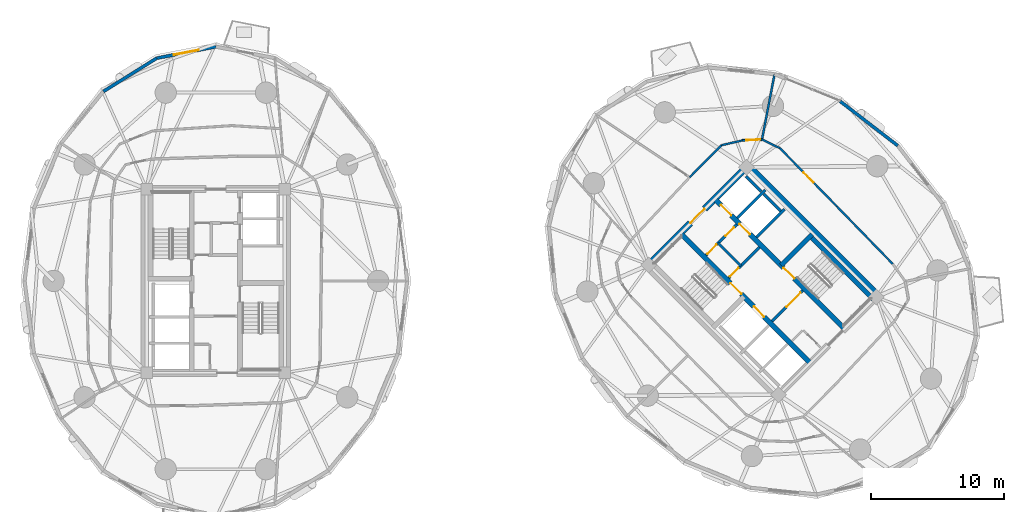
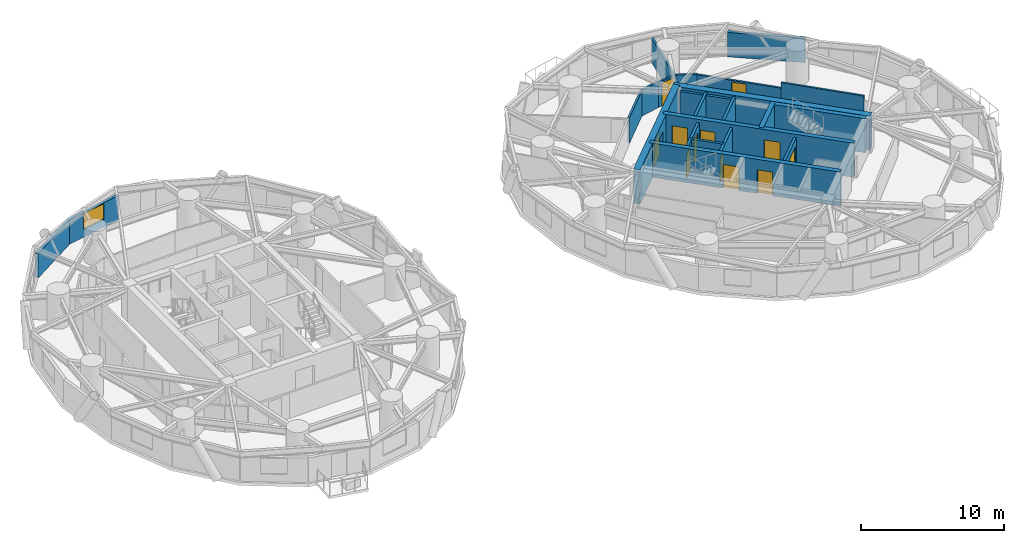
# One storey, part 11 of 15: 24 walls, 12 doors, 1 window, 13 openings.
"""IFC4 building model written with IfcOpenShell, lengths in metres."""

from ifc_helpers import new_model, si_unit, direction, frame, frame_2d, origin, place, context, subcontext, project, spatial, rectangle, extrude, source, transform, mapped, material, layer, layer_set, type_object, element, fill, save


model = new_model("IFC4")

# Units and contexts
model_context = context("Model", 3, precision=1e-05, world=origin(), true_north=direction((0.0, 1.0)))
body_context = subcontext(model_context, "Body", "Model", "MODEL_VIEW")
ifc_project = project(units=[si_unit("LENGTHUNIT", "METRE"), si_unit("AREAUNIT", "SQUARE_METRE"), si_unit("VOLUMEUNIT", "CUBIC_METRE"), si_unit("PLANEANGLEUNIT", "RADIAN"), si_unit("MASSUNIT", "GRAM", prefix="KILO")], contexts=[model_context])

# Site, building, storey
site_placement = place(None, origin())
site = spatial("IfcSite", under=ifc_project, at=site_placement, CompositionType="ELEMENT")
building_placement = place(site_placement, origin())
building = spatial("IfcBuilding", under=site, at=building_placement, Name="Cununo Teusaquillo Station Towers", CompositionType="ELEMENT")
storey_placement = place(building_placement, frame((0.0, 0.0, 24.909912109375)))
storey = spatial("IfcBuildingStorey", under=building, at=storey_placement, Name="L06", CompositionType="ELEMENT", Elevation=24.909912109375)

# Walls
ifc_material_1 = material(Name="Concrete C50/60", Category="concrete")
ifc_layer_1 = layer(ifc_material_1, 0.199951171875)
ifc_layer_set_1 = layer_set([ifc_layer_1], Name="Concrete C50/60")
wall_type_1 = type_object("IfcWallType", Name="WL-CORE-200", PredefinedType="SHEAR", material=ifc_layer_set_1)
wall_1_placement = place(storey_placement, frame((57.0615234375, 27.781005859375, 0.0), z_axis=(0.0, 0.0, 1.0), x_axis=(0.707106781187, 0.707106781187, 0.0)))
element("IfcWall", 1, at=wall_1_placement, inside=storey, type_object=wall_type_1, Name="L06 Tower B Low-Rise Lift Hoistway South Shear Wall", PredefinedType="SHEAR", context=body_context, shape_type="SweptSolid", body=[
    extrude(rectangle(XDim=2.969970703125, YDim=0.199951171875, at=frame_2d((1.48486328125, 0.0))), origin(), (0.0, 0.0, 1.0), 2.91015625),
])
wall_2_placement = place(storey_placement, frame((55.615478515625, 29.22705078125, 0.0), z_axis=(0.0, 0.0, 1.0), x_axis=(0.707147878904, 0.70706568108, 0.0)))
element("IfcWall", 2, at=wall_2_placement, inside=storey, type_object=wall_type_1, Name="L06 Tower B Low-Rise Lift Hoistway Divider Shear Wall", PredefinedType="SHEAR", context=body_context, shape_type="SweptSolid", body=[
    extrude(rectangle(XDim=2.97021484375, YDim=0.199951171875, at=frame_2d((1.485107421875, 0.0))), origin(), (0.0, 0.0, 1.0), 2.91015625),
])
wall_3_placement = place(storey_placement, frame((58.86474609375, 29.75390625, 0.0), z_axis=(0.0, 0.0, 1.0), x_axis=(-0.707174411312, 0.707039144592, 0.0)))
element("IfcWall", 3, at=wall_3_placement, inside=storey, type_object=wall_type_1, Name="L06 Tower B Low-Rise Lift 1 Shaft Rear Shear Wall", PredefinedType="SHEAR", context=body_context, shape_type="SweptSolid", body=[
    extrude(rectangle(XDim=1.804931640625, YDim=0.199951171875, at=frame_2d((0.90234375, 0.0))), origin(), (0.0, 0.0, 1.0), 2.91015625),
])
wall_4_placement = place(storey_placement, frame((57.418701171875, 31.19970703125, 0.0), z_axis=(0.0, 0.0, 1.0), x_axis=(-0.707032117043, 0.707181437447, 0.0)))
element("IfcWall", 4, at=wall_4_placement, inside=storey, type_object=wall_type_1, Name="L06 Tower B Low-Rise Lift 2 Shaft Rear Shear Wall", PredefinedType="SHEAR", context=body_context, shape_type="SweptSolid", body=[
    extrude(rectangle(XDim=1.635009765625, YDim=0.199951171875, at=frame_2d((0.8173828125, 0.0))), origin(), (0.0, 0.0, 1.0), 2.91015625),
])

# Wall, openings, doors
ifc_material_2 = material(Name="Concrete C50/60", Category="concrete")
ifc_layer_2 = layer(ifc_material_2, 0.35009765625)
ifc_layer_set_2 = layer_set([ifc_layer_2], Name="Concrete C50/60")
wall_type_2 = type_object("IfcWallType", Name="WL-CORE-350", PredefinedType="SHEAR", material=ifc_layer_set_2)
wall_5_placement = place(storey_placement, frame((61.095703125, 18.337646484375, 0.0), z_axis=(0.0, 0.0, 1.0), x_axis=(-0.707106781187, 0.707106781187, 0.0)))
wall_5 = element("IfcWall", 5, at=wall_5_placement, inside=storey, type_object=wall_type_2, Name="L06 Tower B Core Shear Wall IW", PredefinedType="SHEAR", context=body_context, shape_type="SweptSolid", body=[
    extrude(rectangle(XDim=13.800048828125, YDim=0.35009765625, at=frame_2d((6.89990234375, 0.0))), origin(), (0.0, 0.0, 1.0), 2.91015625),
])
shared_shape_1 = source(origin(), body_context, "Body", "SweptSolid", [
    extrude(rectangle(XDim=1.10009765625, YDim=2.014892578125, at=frame_2d((0.550048828125, 1.00732421875))), frame((0.0, 0.18505859375, 0.0), z_axis=(0.0, -1.0, 0.0), x_axis=(1.0, 0.0, 0.0)), (0.0, 0.0, 1.0), 0.3701171875),
])
opening_1_placement = place(wall_5_placement, frame((4.89990234375, 0.0, 0.0)))
opening_1 = element("IfcOpeningElement", 6, at=opening_1_placement, cuts=wall_5, Name="Opening LD-01", PredefinedType="OPENING", context=body_context, shape_type="MappedRepresentation", body=[
    mapped(shared_shape_1, transform((0.0, 0.0, 0.0), x_axis=(1.0, 0.0, 0.0), y_axis=(0.0, 1.0, 0.0), z_axis=(0.0, 0.0, 1.0), scale=1.0)),
])
shared_shape_2 = source(origin(), body_context, "Body", "SweptSolid", [
    extrude(rectangle(XDim=1.14990234375, YDim=2.02001953125, at=frame_2d((0.574951171875, 1.010009765625))), frame((0.0, 0.18505859375, 0.0), z_axis=(0.0, -1.0, 0.0), x_axis=(1.0, 0.0, 0.0)), (0.0, 0.0, 1.0), 0.3701171875),
])
opening_2_placement = place(wall_5_placement, frame((7.320068359375, 0.0, 0.0)))
opening_2 = element("IfcOpeningElement", 7, at=opening_2_placement, cuts=wall_5, Name="Opening D-ST1", PredefinedType="OPENING", context=body_context, shape_type="MappedRepresentation", body=[
    mapped(shared_shape_2, transform((0.0, 0.0, 0.0), x_axis=(1.0, 0.0, 0.0), y_axis=(0.0, 1.0, 0.0), z_axis=(0.0, 0.0, 1.0), scale=1.0)),
])
ifc_material_3 = material(Name="Galvanised fire-rated hollow steel door assembly", Category="steel")
door_type_1 = type_object("IfcDoorType", Name="DR-LIFT-1100", OperationType="SLIDING_TO_LEFT", PredefinedType="DOOR", material=ifc_material_3)
shared_shape_3 = source(origin(), body_context, "Body", "SweptSolid", [
    extrude(rectangle(XDim=1.10009765625, YDim=2.014892578125, at=frame_2d((0.550048828125, 1.00732421875))), frame((0.0, 0.02490234375, 0.0), z_axis=(0.0, -1.0, 0.0), x_axis=(1.0, 0.0, 0.0)), (0.0, 0.0, 1.0), 0.050048828125),
])
door_1_placement = place(opening_1_placement, origin())
door_1 = element("IfcDoor", 8, at=door_1_placement, inside=storey, type_object=door_type_1, Name="L06 Lift FL-T2 Sliding Landing Door", OperationType="SLIDING_TO_RIGHT", OverallHeight=2.014892578125, OverallWidth=1.10009765625, PredefinedType="DOOR", context=body_context, shape_type="MappedRepresentation", body=[
    mapped(shared_shape_3, transform((0.0, 0.0, 0.0), x_axis=(1.0, 0.0, 0.0), y_axis=(0.0, 1.0, 0.0), z_axis=(0.0, 0.0, 1.0), scale=1.0)),
])
fill(opening_1, door_1)
ifc_material_4 = material(Name="Galvanised fire-rated hollow steel door assembly", Category="steel")
door_type_2 = type_object("IfcDoorType", Name="DR-STAIR-1150", OperationType="NOTDEFINED", PredefinedType="DOOR", material=ifc_material_4)
shared_shape_4 = source(origin(), body_context, "Body", "SweptSolid", [
    extrude(rectangle(XDim=1.14990234375, YDim=2.02001953125, at=frame_2d((0.574951171875, 1.010009765625))), frame((0.0, 0.02490234375, 0.0), z_axis=(0.0, -1.0, 0.0), x_axis=(1.0, 0.0, 0.0)), (0.0, 0.0, 1.0), 0.050048828125),
])
door_2_placement = place(opening_2_placement, origin())
door_2 = element("IfcDoor", 9, at=door_2_placement, inside=storey, type_object=door_type_2, Name="L06 Tower B Exit Stair 1 Fire Door", OperationType="SINGLE_SWING_RIGHT", OverallHeight=2.02001953125, OverallWidth=1.14990234375, PredefinedType="DOOR", context=body_context, shape_type="MappedRepresentation", body=[
    mapped(shared_shape_4, transform((0.0, 0.0, 0.0), x_axis=(1.0, 0.0, 0.0), y_axis=(0.0, 1.0, 0.0), z_axis=(0.0, 0.0, 1.0), scale=1.0)),
])
fill(opening_2, door_2)

wall_6_placement = place(storey_placement, frame((63.662353515625, 20.904296875, 0.0), z_axis=(0.0, 0.0, 1.0), x_axis=(-0.707106781187, 0.707106781187, 0.0)))
wall_6 = element("IfcWall", 10, at=wall_6_placement, inside=storey, type_object=wall_type_2, Name="L06 Tower B Core Shear Wall IE", PredefinedType="SHEAR", context=body_context, shape_type="SweptSolid", body=[
    extrude(rectangle(XDim=13.800048828125, YDim=0.35009765625, at=frame_2d((6.89990234375, 0.0))), origin(), (0.0, 0.0, 1.0), 2.91015625),
])
opening_3_placement = place(wall_6_placement, frame((10.02490234375, 0.0, 0.0)))
opening_3 = element("IfcOpeningElement", 11, at=opening_3_placement, cuts=wall_6, Name="Opening LD-01", PredefinedType="OPENING", context=body_context, shape_type="MappedRepresentation", body=[
    mapped(shared_shape_1, transform((0.0, 0.0, 0.0), x_axis=(1.0, 0.0, 0.0), y_axis=(0.0, 1.0, 0.0), z_axis=(0.0, 0.0, 1.0), scale=1.0)),
])
opening_4_placement = place(wall_6_placement, frame((12.02490234375, 0.0, 0.0)))
opening_4 = element("IfcOpeningElement", 12, at=opening_4_placement, cuts=wall_6, Name="Opening LD-01", PredefinedType="OPENING", context=body_context, shape_type="MappedRepresentation", body=[
    mapped(shared_shape_1, transform((0.0, 0.0, 0.0), x_axis=(1.0, 0.0, 0.0), y_axis=(0.0, 1.0, 0.0), z_axis=(0.0, 0.0, 1.0), scale=1.0)),
])
opening_5_placement = place(wall_6_placement, frame((5.330078125, 0.0, 0.0)))
opening_5 = element("IfcOpeningElement", 13, at=opening_5_placement, cuts=wall_6, Name="Opening D-ST1", PredefinedType="OPENING", context=body_context, shape_type="MappedRepresentation", body=[
    mapped(shared_shape_2, transform((0.0, 0.0, 0.0), x_axis=(1.0, 0.0, 0.0), y_axis=(0.0, 1.0, 0.0), z_axis=(0.0, 0.0, 1.0), scale=1.0)),
])
door_3_placement = place(opening_3_placement, origin())
door_3 = element("IfcDoor", 14, at=door_3_placement, inside=storey, type_object=door_type_1, Name="L06 Lift PL-T2-L1 Sliding Landing Door", OperationType="SLIDING_TO_LEFT", OverallHeight=2.014892578125, OverallWidth=1.10009765625, PredefinedType="DOOR", context=body_context, shape_type="MappedRepresentation", body=[
    mapped(shared_shape_3, transform((0.0, 0.0, 0.0), x_axis=(1.0, 0.0, 0.0), y_axis=(0.0, 1.0, 0.0), z_axis=(0.0, 0.0, 1.0), scale=1.0)),
])
fill(opening_3, door_3)
door_4_placement = place(opening_4_placement, origin())
door_4 = element("IfcDoor", 15, at=door_4_placement, inside=storey, type_object=door_type_1, Name="L06 Lift PL-T2-L2 Sliding Landing Door", OperationType="SLIDING_TO_RIGHT", OverallHeight=2.014892578125, OverallWidth=1.10009765625, PredefinedType="DOOR", context=body_context, shape_type="MappedRepresentation", body=[
    mapped(shared_shape_3, transform((0.0, 0.0, 0.0), x_axis=(1.0, 0.0, 0.0), y_axis=(0.0, 1.0, 0.0), z_axis=(0.0, 0.0, 1.0), scale=1.0)),
])
fill(opening_4, door_4)
door_5_placement = place(opening_5_placement, origin())
door_5 = element("IfcDoor", 16, at=door_5_placement, inside=storey, type_object=door_type_2, Name="L06 Tower B Exit Stair 2 Fire Door", OperationType="SINGLE_SWING_LEFT", OverallHeight=2.02001953125, OverallWidth=1.14990234375, PredefinedType="DOOR", context=body_context, shape_type="MappedRepresentation", body=[
    mapped(shared_shape_4, transform((0.0, 0.0, 0.0), x_axis=(1.0, 0.0, 0.0), y_axis=(0.0, 1.0, 0.0), z_axis=(0.0, 0.0, 1.0), scale=1.0)),
])
fill(opening_5, door_5)

# Walls
wall_7_placement = place(storey_placement, frame((65.847412109375, 23.08935546875, 0.0), z_axis=(0.0, 0.0, 1.0), x_axis=(-0.707106781187, 0.707106781187, 0.0)))
element("IfcWall", 17, at=wall_7_placement, inside=storey, type_object=wall_type_2, Name="L06 Tower B Core Shear Wall ST2E", PredefinedType="SHEAR", context=body_context, shape_type="SweptSolid", body=[
    extrude(rectangle(XDim=6.7451171875, YDim=0.35009765625, at=frame_2d((3.37255859375, 0.0))), origin(), (0.0, 0.0, 1.0), 2.91015625),
])
wall_8_placement = place(storey_placement, frame((58.89306640625, 25.673828125, 0.0), z_axis=(0.0, 0.0, 1.0), x_axis=(0.707106781187, 0.707106781187, 0.0)))
element("IfcWall", 18, at=wall_8_placement, inside=storey, type_object=wall_type_2, Name="L06 Tower B Core Shear Wall ST2N", PredefinedType="SHEAR", context=body_context, shape_type="SweptSolid", body=[
    extrude(rectangle(XDim=3.284912109375, YDim=0.35009765625, at=frame_2d((1.642578125, 0.0))), origin(), (0.0, 0.0, 1.0), 2.91015625),
])
ifc_material_5 = material(Name="Concrete C60/75", Category="concrete")
ifc_layer_3 = layer(ifc_material_5, 0.5)
ifc_layer_set_3 = layer_set([ifc_layer_3], Name="Concrete C60/75")
wall_type_3 = type_object("IfcWallType", Name="WL-CORE-500", PredefinedType="SHEAR", material=ifc_layer_set_3)
wall_9_placement = place(storey_placement, frame((66.3388671875, 23.227294921875, 0.0), z_axis=(0.0, 0.0, 1.0), x_axis=(-0.707106781187, 0.707106781187, 0.0)))
element("IfcWall", 19, at=wall_9_placement, inside=storey, type_object=wall_type_3, Name="L06 Tower B Core Shear Wall E", PredefinedType="SHEAR", context=body_context, shape_type="SweptSolid", body=[
    extrude(rectangle(XDim=14.2998046875, YDim=0.5, at=frame_2d((7.14990234375, 0.0))), origin(), (0.0, 0.0, 1.0), 2.91015625),
])

# Wall, opening, door
wall_10_placement = place(storey_placement, frame((48.837890625, 25.595947265625, 0.0), z_axis=(0.0, 0.0, 1.0), x_axis=(0.707106781187, 0.707106781187, 0.0)))
wall_10 = element("IfcWall", 20, at=wall_10_placement, inside=storey, type_object=wall_type_3, Name="L06 Tower B Core Shear Wall N", PredefinedType="SHEAR", context=body_context, shape_type="SweptSolid", body=[
    extrude(rectangle(XDim=10.7001953125, YDim=0.5, at=frame_2d((5.35009765625, 0.0))), origin(), (0.0, 0.0, 1.0), 2.91015625),
])
shared_shape_5 = source(origin(), body_context, "Body", "SweptSolid", [
    extrude(rectangle(XDim=1.5, YDim=2.02001953125, at=frame_2d((0.75, 1.010009765625))), frame((0.0, 0.260009765625, 0.0), z_axis=(0.0, -1.0, 0.0), x_axis=(1.0, 0.0, 0.0)), (0.0, 0.0, 1.0), 0.52001953125),
])
opening_6_placement = place(wall_10_placement, frame((4.60009765625, 0.0, 0.0)))
opening_6 = element("IfcOpeningElement", 21, at=opening_6_placement, cuts=wall_10, Name="Opening D-LB1", PredefinedType="OPENING", context=body_context, shape_type="MappedRepresentation", body=[
    mapped(shared_shape_5, transform((0.0, 0.0, 0.0), x_axis=(1.0, 0.0, 0.0), y_axis=(0.0, 1.0, 0.0), z_axis=(0.0, 0.0, 1.0), scale=1.0)),
])
ifc_material_6 = material(Name="Galvanised fire-rated hollow steel door assembly", Category="steel")
door_type_3 = type_object("IfcDoorType", Name="DR-LOBBY-1500", OperationType="DOUBLE_DOOR_SINGLE_SWING", PredefinedType="DOOR", material=ifc_material_6)
shared_shape_6 = source(origin(), body_context, "Body", "SweptSolid", [
    extrude(rectangle(XDim=1.5, YDim=2.02001953125, at=frame_2d((0.75, 1.010009765625))), frame((0.0, 0.02490234375, 0.0), z_axis=(0.0, -1.0, 0.0), x_axis=(1.0, 0.0, 0.0)), (0.0, 0.0, 1.0), 0.050048828125),
])
door_6_placement = place(opening_6_placement, origin())
door_6 = element("IfcDoor", 22, at=door_6_placement, inside=storey, type_object=door_type_3, Name="L06 Tower B North Core Lift Lobby Door", OperationType="DOUBLE_DOOR_SINGLE_SWING", OverallHeight=2.02001953125, OverallWidth=1.5, PredefinedType="DOOR", context=body_context, shape_type="MappedRepresentation", body=[
    mapped(shared_shape_6, transform((0.0, 0.0, 0.0), x_axis=(1.0, 0.0, 0.0), y_axis=(0.0, 1.0, 0.0), z_axis=(0.0, 0.0, 1.0), scale=1.0)),
])
fill(opening_6, door_6)

# Wall, opening, window
ifc_material_7 = material(Name="Precast concrete C40/50", Category="concrete")
ifc_layer_4 = layer(ifc_material_7, 0.239990234375)
ifc_layer_set_4 = layer_set([ifc_layer_4], Name="Precast concrete C40/50")
wall_type_4 = type_object("IfcWallType", Name="WL-EXT-240", PredefinedType="SOLIDWALL", material=ifc_layer_set_4)
wall_11_placement = place(storey_placement, frame((12.065185546875, 41.210205078125, 0.0), z_axis=(0.0, 0.0, 1.0), x_axis=(0.981717351035, 0.190344536766, 0.0)))
wall_11 = element("IfcWall", 23, at=wall_11_placement, inside=storey, type_object=wall_type_4, Name="L06 Tower A Exterior Facade Wall C05", PredefinedType="SOLIDWALL", context=body_context, shape_type="SweptSolid", body=[
    extrude(rectangle(XDim=4.517333984375, YDim=0.239990234375, at=frame_2d((2.2587890625, 0.0))), origin(), (0.0, 0.0, 1.0), 2.072998046875),
])
shared_shape_7 = source(origin(), body_context, "Body", "SweptSolid", [
    extrude(rectangle(XDim=1.89990234375, YDim=1.35009765625, at=frame_2d((0.949951171875, 0.675048828125))), frame((0.0, 0.1298828125, 0.0), z_axis=(0.0, -1.0, 0.0), x_axis=(1.0, 0.0, 0.0)), (0.0, 0.0, 1.0), 0.260009765625),
])
opening_7_placement = place(wall_11_placement, frame((1.30908203125, 0.0, 0.64990234375)))
opening_7 = element("IfcOpeningElement", 24, at=opening_7_placement, cuts=wall_11, Name="Opening WN-02", PredefinedType="OPENING", context=body_context, shape_type="MappedRepresentation", body=[
    mapped(shared_shape_7, transform((0.0, 0.0, 0.0), x_axis=(1.0, 0.0, 0.0), y_axis=(0.0, 1.0, 0.0), z_axis=(0.0, 0.0, 1.0), scale=1.0)),
])
ifc_material_8 = material(Name="Operable acoustic tinted low-E double glazing", Category="glass")
window_type = type_object("IfcWindowType", Name="WIN-OPER-1900", PartitioningType="DOUBLE_PANEL_VERTICAL", PredefinedType="WINDOW", material=ifc_material_8)
shared_shape_8 = source(origin(), body_context, "Body", "SweptSolid", [
    extrude(rectangle(XDim=1.89990234375, YDim=1.35009765625, at=frame_2d((0.949951171875, 0.675048828125))), frame((0.0, 0.030029296875, 0.0), z_axis=(0.0, -1.0, 0.0), x_axis=(1.0, 0.0, 0.0)), (0.0, 0.0, 1.0), 0.06005859375),
])
window_placement = place(opening_7_placement, origin())
window = element("IfcWindow", 25, at=window_placement, inside=storey, type_object=window_type, Name="L06 Tower A Facade Window C05", OverallHeight=1.35009765625, OverallWidth=1.89990234375, PartitioningType="DOUBLE_PANEL_VERTICAL", PredefinedType="WINDOW", context=body_context, shape_type="MappedRepresentation", body=[
    mapped(shared_shape_8, transform((0.0, 0.0, 0.0), x_axis=(1.0, 0.0, 0.0), y_axis=(0.0, 1.0, 0.0), z_axis=(0.0, 0.0, 1.0), scale=1.0)),
])
fill(opening_7, window)

# Walls
wall_12_placement = place(storey_placement, frame((8.064697265625, 38.71435546875, 0.0), z_axis=(0.0, 0.0, 1.0), x_axis=(0.848422721916, 0.529319265601, 0.0)))
element("IfcWall", 26, at=wall_12_placement, inside=storey, type_object=wall_type_4, Name="L06 Tower A Exterior Facade Wall C06", PredefinedType="SOLIDWALL", context=body_context, shape_type="SweptSolid", body=[
    extrude(rectangle(XDim=4.715087890625, YDim=0.239990234375, at=frame_2d((2.357421875, 0.0))), origin(), (0.0, 0.0, 1.0), 2.072998046875),
])
wall_13_placement = place(storey_placement, frame((63.31201171875, 37.990234375, 0.0), z_axis=(0.0, 0.0, 1.0), x_axis=(0.791972010801, -0.610557396243, 0.0)))
element("IfcWall", 27, at=wall_13_placement, inside=storey, type_object=wall_type_4, Name="L06 Tower B Exterior Facade Wall C00", PredefinedType="SOLIDWALL", context=body_context, shape_type="SweptSolid", body=[
    extrude(rectangle(XDim=5.474609375, YDim=0.239990234375, at=frame_2d((2.7373046875, 0.0))), origin(), (0.0, 0.0, 1.0), 2.072998046875),
])

# Wall, opening, door
ifc_material_9 = material(Name="Fire-rated gypsum plasterboard partition assembly", Category="gypsum")
ifc_layer_5 = layer(ifc_material_9, 0.14990234375)
ifc_layer_set_5 = layer_set([ifc_layer_5], Name="Fire-rated gypsum plasterboard partition assembly")
wall_type_5 = type_object("IfcWallType", Name="WL-PART-150", PredefinedType="PARTITIONING", material=ifc_layer_set_5)
wall_14_placement = place(storey_placement, frame((63.086181640625, 30.086181640625, 0.0), z_axis=(0.0, 0.0, 1.0), x_axis=(-0.699075897379, 0.715047473741, 0.0)))
wall_14 = element("IfcWall", 28, at=wall_14_placement, inside=storey, type_object=wall_type_5, Name="L06 Tower B Corridor Ring Wall C00", PredefinedType="PARTITIONING", context=body_context, shape_type="SweptSolid", body=[
    extrude(rectangle(XDim=6.1142578125, YDim=0.14990234375, at=frame_2d((3.05712890625, 0.0))), origin(), (0.0, 0.0, 1.0), 2.1591796875),
])
shared_shape_9 = source(origin(), body_context, "Body", "SweptSolid", [
    extrude(rectangle(XDim=1.050048828125, YDim=2.014892578125, at=frame_2d((0.52490234375, 1.00732421875))), frame((0.0, 0.0849609375, 0.0), z_axis=(0.0, -1.0, 0.0), x_axis=(1.0, 0.0, 0.0)), (0.0, 0.0, 1.0), 0.169921875),
])
opening_8_placement = place(wall_14_placement, frame((2.5322265625, 0.0, 0.0)))
opening_8 = element("IfcOpeningElement", 29, at=opening_8_placement, cuts=wall_14, Name="Opening D-SU1", PredefinedType="OPENING", context=body_context, shape_type="MappedRepresentation", body=[
    mapped(shared_shape_9, transform((0.0, 0.0, 0.0), x_axis=(1.0, 0.0, 0.0), y_axis=(0.0, 1.0, 0.0), z_axis=(0.0, 0.0, 1.0), scale=1.0)),
])
ifc_material_10 = material(Name="Acoustic solid-core hardwood leaf assembly", Category="wood")
door_type_4 = type_object("IfcDoorType", Name="DR-SUITE-1050", OperationType="NOTDEFINED", PredefinedType="DOOR", material=ifc_material_10)
shared_shape_10 = source(origin(), body_context, "Body", "SweptSolid", [
    extrude(rectangle(XDim=1.050048828125, YDim=2.014892578125, at=frame_2d((0.52490234375, 1.00732421875))), frame((0.0, 0.02490234375, 0.0), z_axis=(0.0, -1.0, 0.0), x_axis=(1.0, 0.0, 0.0)), (0.0, 0.0, 1.0), 0.050048828125),
])
door_7_placement = place(opening_8_placement, origin())
door_7 = element("IfcDoor", 30, at=door_7_placement, inside=storey, type_object=door_type_4, Name="L06 Tower B Grand Conference Salon Entrance Door", OperationType="SINGLE_SWING_LEFT", OverallHeight=2.014892578125, OverallWidth=1.050048828125, PredefinedType="DOOR", context=body_context, shape_type="MappedRepresentation", body=[
    mapped(shared_shape_10, transform((0.0, 0.0, 0.0), x_axis=(1.0, 0.0, 0.0), y_axis=(0.0, 1.0, 0.0), z_axis=(0.0, 0.0, 1.0), scale=1.0)),
])
fill(opening_8, door_7)

# Wall
wall_15_placement = place(storey_placement, frame((58.811767578125, 34.458251953125, 0.0), z_axis=(0.0, 0.0, 1.0), x_axis=(-0.899559490277, 0.436798264021, 0.0)))
element("IfcWall", 31, at=wall_15_placement, inside=storey, type_object=wall_type_5, Name="L06 Tower B Corridor Ring Wall C01", PredefinedType="PARTITIONING", context=body_context, shape_type="SweptSolid", body=[
    extrude(rectangle(XDim=1.4951171875, YDim=0.14990234375, at=frame_2d((0.74755859375, 0.0))), origin(), (0.0, 0.0, 1.0), 2.205078125),
])

# Wall, opening, door
wall_16_placement = place(storey_placement, frame((57.466796875, 35.111328125, 0.0), z_axis=(0.0, 0.0, 1.0), x_axis=(-0.998691757323, -0.051134859488, 0.0)))
wall_16 = element("IfcWall", 32, at=wall_16_placement, inside=storey, type_object=wall_type_5, Name="L06 Tower B Corridor Ring Wall C02", PredefinedType="PARTITIONING", context=body_context, shape_type="SweptSolid", body=[
    extrude(rectangle(XDim=1.48486328125, YDim=0.14990234375, at=frame_2d((0.742431640625, 0.0))), origin(), (0.0, 0.0, 1.0), 2.1591796875),
])
opening_9_placement = place(wall_16_placement, frame((0.1201171875, 0.0, 0.0)))
opening_9 = element("IfcOpeningElement", 33, at=opening_9_placement, cuts=wall_16, Name="Opening D-SU1", PredefinedType="OPENING", context=body_context, shape_type="MappedRepresentation", body=[
    mapped(shared_shape_9, transform((0.0, 0.0, 0.0), x_axis=(1.0, 0.0, 0.0), y_axis=(0.0, 1.0, 0.0), z_axis=(0.0, 0.0, 1.0), scale=1.0)),
])
door_8_placement = place(opening_9_placement, origin())
door_8 = element("IfcDoor", 34, at=door_8_placement, inside=storey, type_object=door_type_4, Name="L06 Tower B Simultaneous Interpretation Hall Entrance Door", OperationType="SINGLE_SWING_RIGHT", OverallHeight=2.014892578125, OverallWidth=1.050048828125, PredefinedType="DOOR", context=body_context, shape_type="MappedRepresentation", body=[
    mapped(shared_shape_10, transform((0.0, 0.0, 0.0), x_axis=(1.0, 0.0, 0.0), y_axis=(0.0, 1.0, 0.0), z_axis=(0.0, 0.0, 1.0), scale=1.0)),
])
fill(opening_9, door_8)

# Walls
wall_17_placement = place(storey_placement, frame((55.98388671875, 35.035400390625, 0.0), z_axis=(0.0, 0.0, 1.0), x_axis=(-0.975290305708, -0.22092718165, 0.0)))
element("IfcWall", 35, at=wall_17_placement, inside=storey, type_object=wall_type_5, Name="L06 Tower B Corridor Ring Wall C03", PredefinedType="PARTITIONING", context=body_context, shape_type="SweptSolid", body=[
    extrude(rectangle(XDim=1.596923828125, YDim=0.14990234375, at=frame_2d((0.79833984375, 0.0))), origin(), (0.0, 0.0, 1.0), 2.205078125),
])
wall_18_placement = place(storey_placement, frame((54.426513671875, 34.6826171875, 0.0), z_axis=(0.0, 0.0, 1.0), x_axis=(-0.704178989986, -0.710022499687, 0.0)))
element("IfcWall", 36, at=wall_18_placement, inside=storey, type_object=wall_type_5, Name="L06 Tower B Corridor Ring Wall C04", PredefinedType="PARTITIONING", context=body_context, shape_type="SweptSolid", body=[
    extrude(rectangle(XDim=3.38427734375, YDim=0.14990234375, at=frame_2d((1.692138671875, 0.0))), origin(), (0.0, 0.0, 1.0), 2.1591796875),
])
wall_19_placement = place(storey_placement, frame((67.270263671875, 25.77978515625, 0.0), z_axis=(0.0, 0.0, 1.0), x_axis=(-0.696847842907, 0.717218992942, 0.0)))
element("IfcWall", 37, at=wall_19_placement, inside=storey, type_object=wall_type_5, Name="L06 Tower B Corridor Ring Wall C19", PredefinedType="PARTITIONING", context=body_context, shape_type="SweptSolid", body=[
    extrude(rectangle(XDim=6.00439453125, YDim=0.14990234375, at=frame_2d((3.002197265625, 0.0))), origin(), (0.0, 0.0, 1.0), 2.635009765625),
])
ifc_material_11 = material(Name="Fire-rated gypsum plasterboard partition assembly", Category="gypsum")
ifc_layer_6 = layer(ifc_material_11, 0.159912109375)
ifc_layer_set_6 = layer_set([ifc_layer_6], Name="Fire-rated gypsum plasterboard partition assembly")
wall_type_6 = type_object("IfcWallType", Name="WL-PART-160", PredefinedType="PARTITIONING", material=ifc_layer_set_6)
wall_20_placement = place(storey_placement, frame((57.466796875, 35.111328125, 0.0), z_axis=(0.0, 0.0, 1.0), x_axis=(0.188572285328, 0.982059312468, 0.0)))
element("IfcWall", 38, at=wall_20_placement, inside=storey, type_object=wall_type_6, Name="L06 Tower B Radial Suite Partition R01", PredefinedType="PARTITIONING", context=body_context, shape_type="SweptSolid", body=[
    extrude(rectangle(XDim=4.97021484375, YDim=0.159912109375, at=frame_2d((2.485107421875, 0.0))), origin(), (0.0, 0.0, 1.0), 2.072998046875),
])

# Wall, opening, door
ifc_material_12 = material(Name="Fire-rated gypsum plasterboard partition assembly", Category="gypsum")
ifc_layer_7 = layer(ifc_material_12, 0.199951171875)
ifc_layer_set_7 = layer_set([ifc_layer_7], Name="Fire-rated gypsum plasterboard partition assembly")
wall_type_7 = type_object("IfcWallType", Name="WL-PART-200", PredefinedType="PARTITIONING", material=ifc_layer_set_7)
wall_21_placement = place(storey_placement, frame((58.214111328125, 21.466552734375, 0.0), z_axis=(0.0, 0.0, 1.0), x_axis=(0.707106781187, 0.707106781187, 0.0)))
wall_21 = element("IfcWall", 39, at=wall_21_placement, inside=storey, type_object=wall_type_7, Name="L06 Tower B Firefighting Lift Lobby South Fire Wall", PredefinedType="PARTITIONING", context=body_context, shape_type="SweptSolid", body=[
    extrude(rectangle(XDim=3.280029296875, YDim=0.199951171875, at=frame_2d((1.64013671875, 0.0))), origin(), (0.0, 0.0, 1.0), 2.635009765625),
])
shared_shape_11 = source(origin(), body_context, "Body", "SweptSolid", [
    extrude(rectangle(XDim=1.5, YDim=2.02001953125, at=frame_2d((0.75, 1.010009765625))), frame((0.0, 0.10986328125, 0.0), z_axis=(0.0, -1.0, 0.0), x_axis=(1.0, 0.0, 0.0)), (0.0, 0.0, 1.0), 0.219970703125),
])
opening_10_placement = place(wall_21_placement, frame((1.550048828125, 0.0, 0.0)))
opening_10 = element("IfcOpeningElement", 40, at=opening_10_placement, cuts=wall_21, Name="Opening D-LB1", PredefinedType="OPENING", context=body_context, shape_type="MappedRepresentation", body=[
    mapped(shared_shape_11, transform((0.0, 0.0, 0.0), x_axis=(1.0, 0.0, 0.0), y_axis=(0.0, 1.0, 0.0), z_axis=(0.0, 0.0, 1.0), scale=1.0)),
])
door_9_placement = place(opening_10_placement, origin())
door_9 = element("IfcDoor", 41, at=door_9_placement, inside=storey, type_object=door_type_3, Name="L06 Tower B Firefighting Lift Lobby South Fire Door", OperationType="DOUBLE_DOOR_SINGLE_SWING", OverallHeight=2.02001953125, OverallWidth=1.5, PredefinedType="DOOR", context=body_context, shape_type="MappedRepresentation", body=[
    mapped(shared_shape_6, transform((0.0, 0.0, 0.0), x_axis=(1.0, 0.0, 0.0), y_axis=(0.0, 1.0, 0.0), z_axis=(0.0, 0.0, 1.0), scale=1.0)),
])
fill(opening_10, door_9)

wall_22_placement = place(storey_placement, frame((54.96142578125, 24.71923828125, 0.0), z_axis=(0.0, 0.0, 1.0), x_axis=(0.707106781187, 0.707106781187, 0.0)))
wall_22 = element("IfcWall", 42, at=wall_22_placement, inside=storey, type_object=wall_type_7, Name="L06 Tower B Firefighting Lift Lobby North Fire Wall", PredefinedType="PARTITIONING", context=body_context, shape_type="SweptSolid", body=[
    extrude(rectangle(XDim=3.280029296875, YDim=0.199951171875, at=frame_2d((1.64013671875, 0.0))), origin(), (0.0, 0.0, 1.0), 2.635009765625),
])
shared_shape_12 = source(origin(), body_context, "Body", "SweptSolid", [
    extrude(rectangle(XDim=0.89990234375, YDim=2.0048828125, at=frame_2d((0.449951171875, 1.00244140625))), frame((0.0, 0.10986328125, 0.0), z_axis=(0.0, -1.0, 0.0), x_axis=(1.0, 0.0, 0.0)), (0.0, 0.0, 1.0), 0.219970703125),
])
opening_11_placement = place(wall_22_placement, frame((0.159912109375, 0.0, 0.0)))
opening_11 = element("IfcOpeningElement", 43, at=opening_11_placement, cuts=wall_22, Name="Opening D-SR1", PredefinedType="OPENING", context=body_context, shape_type="MappedRepresentation", body=[
    mapped(shared_shape_12, transform((0.0, 0.0, 0.0), x_axis=(1.0, 0.0, 0.0), y_axis=(0.0, 1.0, 0.0), z_axis=(0.0, 0.0, 1.0), scale=1.0)),
])
ifc_material_13 = material(Name="Galvanised fire-rated hollow steel door assembly", Category="steel")
door_type_5 = type_object("IfcDoorType", Name="DR-STORE-900", OperationType="NOTDEFINED", PredefinedType="DOOR", material=ifc_material_13)
shared_shape_13 = source(origin(), body_context, "Body", "SweptSolid", [
    extrude(rectangle(XDim=0.89990234375, YDim=2.0048828125, at=frame_2d((0.449951171875, 1.00244140625))), frame((0.0, 0.02490234375, 0.0), z_axis=(0.0, -1.0, 0.0), x_axis=(1.0, 0.0, 0.0)), (0.0, 0.0, 1.0), 0.050048828125),
])
door_10_placement = place(opening_11_placement, origin())
door_10 = element("IfcDoor", 44, at=door_10_placement, inside=storey, type_object=door_type_5, Name="L06 Tower B Stair 1 Protected Vestibule South Door", OperationType="SINGLE_SWING_RIGHT", OverallHeight=2.0048828125, OverallWidth=0.89990234375, PredefinedType="DOOR", context=body_context, shape_type="MappedRepresentation", body=[
    mapped(shared_shape_13, transform((0.0, 0.0, 0.0), x_axis=(1.0, 0.0, 0.0), y_axis=(0.0, 1.0, 0.0), z_axis=(0.0, 0.0, 1.0), scale=1.0)),
])
fill(opening_11, door_10)

# Wall
wall_23_placement = place(storey_placement, frame((55.873779296875, 25.63134765625, 0.0), z_axis=(0.0, 0.0, 1.0), x_axis=(-0.707157639372, 0.707055919343, 0.0)))
element("IfcWall", 45, at=wall_23_placement, inside=storey, type_object=wall_type_7, Name="L06 Tower B Stair 1 Vestibule Partition Wall", PredefinedType="PARTITIONING", context=body_context, shape_type="SweptSolid", body=[
    extrude(rectangle(XDim=2.400146484375, YDim=0.199951171875, at=frame_2d((1.2001953125, 0.0))), origin(), (0.0, 0.0, 1.0), 2.635009765625),
])

# Wall, openings, doors
wall_24_placement = place(storey_placement, frame((53.264404296875, 26.416259765625, 0.0), z_axis=(0.0, 0.0, 1.0), x_axis=(0.707106781187, 0.707106781187, 0.0)))
wall_24 = element("IfcWall", 46, at=wall_24_placement, inside=storey, type_object=wall_type_7, Name="L06 Tower B North Lift Lobby South Fire Wall", PredefinedType="PARTITIONING", context=body_context, shape_type="SweptSolid", body=[
    extrude(rectangle(XDim=3.280029296875, YDim=0.199951171875, at=frame_2d((1.64013671875, 0.0))), origin(), (0.0, 0.0, 1.0), 2.635009765625),
])
shared_shape_14 = source(origin(), body_context, "Body", "SweptSolid", [
    extrude(rectangle(XDim=1.0, YDim=2.014892578125, at=frame_2d((0.5, 1.00732421875))), frame((0.0, 0.10986328125, 0.0), z_axis=(0.0, -1.0, 0.0), x_axis=(1.0, 0.0, 0.0)), (0.0, 0.0, 1.0), 0.219970703125),
])
opening_12_placement = place(wall_24_placement, frame((0.139892578125, 0.0, 0.0)))
opening_12 = element("IfcOpeningElement", 47, at=opening_12_placement, cuts=wall_24, Name="Opening D-AC1", PredefinedType="OPENING", context=body_context, shape_type="MappedRepresentation", body=[
    mapped(shared_shape_14, transform((0.0, 0.0, 0.0), x_axis=(1.0, 0.0, 0.0), y_axis=(0.0, 1.0, 0.0), z_axis=(0.0, 0.0, 1.0), scale=1.0)),
])
opening_13_placement = place(wall_24_placement, frame((2.050048828125, 0.0, 0.0)))
opening_13 = element("IfcOpeningElement", 48, at=opening_13_placement, cuts=wall_24, Name="Opening D-SR1", PredefinedType="OPENING", context=body_context, shape_type="MappedRepresentation", body=[
    mapped(shared_shape_12, transform((0.0, 0.0, 0.0), x_axis=(1.0, 0.0, 0.0), y_axis=(0.0, 1.0, 0.0), z_axis=(0.0, 0.0, 1.0), scale=1.0)),
])
door_11_placement = place(opening_13_placement, origin())
door_11 = element("IfcDoor", 49, at=door_11_placement, inside=storey, type_object=door_type_5, Name="L06 Tower B Core Housekeeping & Linen Store Door", OperationType="SINGLE_SWING_LEFT", OverallHeight=2.0048828125, OverallWidth=0.89990234375, PredefinedType="DOOR", context=body_context, shape_type="MappedRepresentation", body=[
    mapped(shared_shape_13, transform((0.0, 0.0, 0.0), x_axis=(1.0, 0.0, 0.0), y_axis=(0.0, 1.0, 0.0), z_axis=(0.0, 0.0, 1.0), scale=1.0)),
])
fill(opening_13, door_11)
ifc_material_14 = material(Name="Acoustic solid-core hardwood leaf assembly", Category="wood")
door_type_6 = type_object("IfcDoorType", Name="DR-ACC-1000", OperationType="NOTDEFINED", PredefinedType="DOOR", material=ifc_material_14)
shared_shape_15 = source(origin(), body_context, "Body", "SweptSolid", [
    extrude(rectangle(XDim=1.0, YDim=2.014892578125, at=frame_2d((0.5, 1.00732421875))), frame((0.0, 0.02490234375, 0.0), z_axis=(0.0, -1.0, 0.0), x_axis=(1.0, 0.0, 0.0)), (0.0, 0.0, 1.0), 0.050048828125),
])
door_12_placement = place(opening_12_placement, origin())
door_12 = element("IfcDoor", 50, at=door_12_placement, inside=storey, type_object=door_type_6, Name="L06 Tower B North Lift Lobby to Stair 1 Vestibule Door", OperationType="SINGLE_SWING_LEFT", OverallHeight=2.014892578125, OverallWidth=1.0, PredefinedType="DOOR", context=body_context, shape_type="MappedRepresentation", body=[
    mapped(shared_shape_15, transform((0.0, 0.0, 0.0), x_axis=(1.0, 0.0, 0.0), y_axis=(0.0, 1.0, 0.0), z_axis=(0.0, 0.0, 1.0), scale=1.0)),
])
fill(opening_12, door_12)

save(model, "model.ifc")
